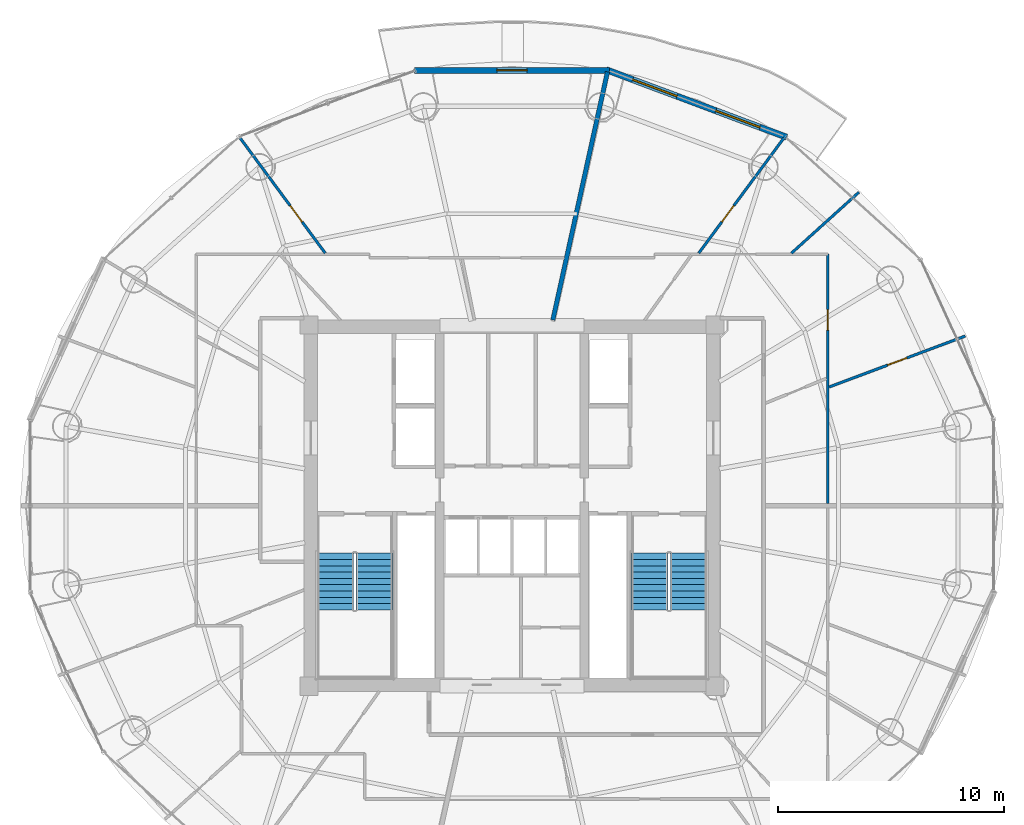
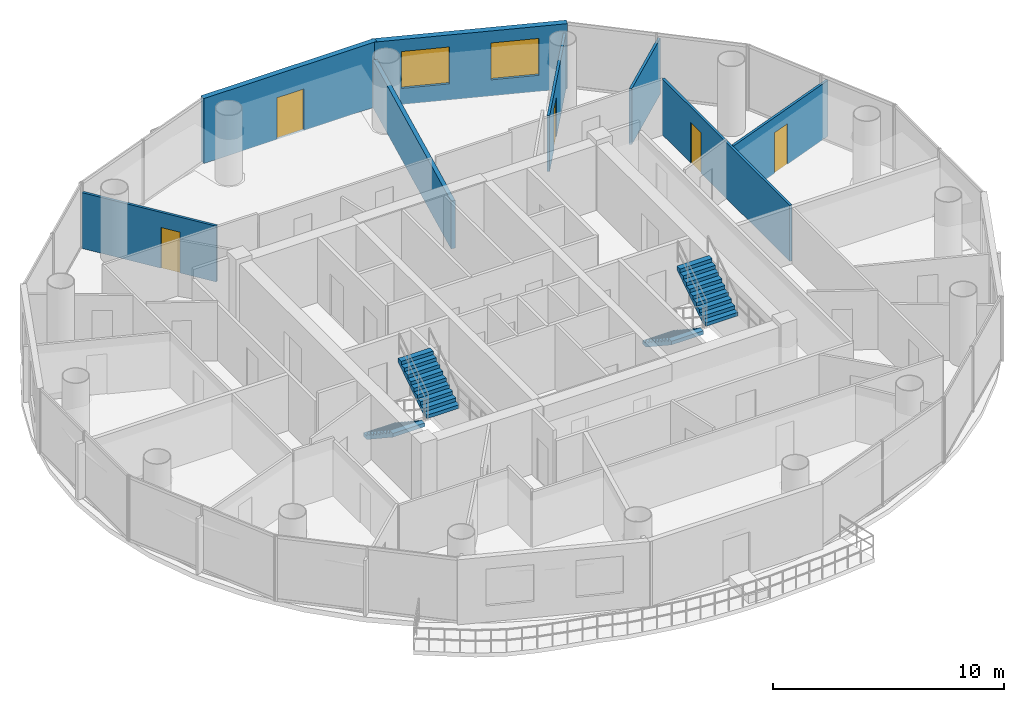
# One storey, part 23 of 26: 8 walls, 5 doors, 4 stair flights, 2 windows, 7 openings, 2 elements without a shape of their own.
"""IFC4 building model written with IfcOpenShell, lengths in metres."""

import ifcopenshell
import ifcopenshell.guid

model = None  # the IFC model being written
_history = None  # IfcOwnerHistory: only IFC2X3 demands one
_inside = {}  # id of a spatial element -> (the spatial element, [elements in it])
_under = {}  # id of a project, library or spatial element -> (it, [spatial elements below it])
_declared = {}  # id of a project -> (the project, [libraries it declares])
_typed = {}  # id of a type object -> (the type object, [elements of that type])
_made_of = {}  # id of a material, layer set ... -> (it, [elements and type objects made of it])


def new_model(schema):
    """Start an empty IFC model of exactly this schema.

    Asked for "IFC4X3", IfcOpenShell would pick the latest addendum, in which some entities
    have other attributes; the version numbers below select the first issue.
    IFC2X3 requires an IfcOwnerHistory on every rooted entity: one is made here for all.
    """
    global model, _history
    if schema == "IFC4X3":
        model = ifcopenshell.file(schema_version=(4, 3, 0, 0))
    else:
        model = ifcopenshell.file(schema=schema)
    _inside.clear()
    _under.clear()
    _declared.clear()
    _typed.clear()
    _made_of.clear()
    _history = None
    if model.schema == "IFC2X3":
        org = make("IfcOrganization", Name="unknown")
        user = make(
            "IfcPersonAndOrganization",
            ThePerson=make("IfcPerson", FamilyName="unknown"),
            TheOrganization=org,
        )
        app = make(
            "IfcApplication",
            ApplicationDeveloper=org,
            Version="unknown",
            ApplicationFullName="unknown",
            ApplicationIdentifier="unknown",
        )
        _history = make(
            "IfcOwnerHistory",
            OwningUser=user,
            OwningApplication=app,
            ChangeAction="ADDED",
            CreationDate=0,
        )
    return model


def make(cls, **values):
    """One entity of the class cls with the attributes given. An attribute that is None is left unset."""
    return model.create_entity(
        cls, **{name: value for name, value in values.items() if value is not None}
    )


def rooted(cls, **values):
    """An entity with a GlobalId (a new one), such as an element, a storey or a relation."""
    return make(cls, GlobalId=ifcopenshell.guid.new(), OwnerHistory=_history, **values)


def si_unit(unit_type, name, prefix=None):
    """IfcSIUnit, for example si_unit("LENGTHUNIT", "METRE", prefix="MILLI")."""
    return make("IfcSIUnit", UnitType=unit_type, Prefix=prefix, Name=name)


def assignment(units):
    """IfcUnitAssignment: the units of a project."""
    return None if units is None else make("IfcUnitAssignment", Units=units)


def point(xyz):
    """IfcCartesianPoint."""
    return None if xyz is None else make("IfcCartesianPoint", Coordinates=xyz)


def direction(xyz):
    """IfcDirection."""
    return None if xyz is None else make("IfcDirection", DirectionRatios=xyz)


def frame(location, z_axis=None, x_axis=None):
    """IfcAxis2Placement3D, a coordinate frame: its origin and axes. An axis left out is left unset."""
    return make(
        "IfcAxis2Placement3D",
        Location=point(location),
        Axis=direction(z_axis),
        RefDirection=direction(x_axis),
    )


def frame_2d(location, x_axis=None):
    """IfcAxis2Placement2D, a coordinate frame in the plane: its origin and x axis."""
    return make(
        "IfcAxis2Placement2D", Location=point(location), RefDirection=direction(x_axis)
    )


def origin():
    """The frame at (0, 0, 0) with its axes left unset."""
    return frame((0.0, 0.0, 0.0))


def place(relative_to, where):
    """IfcLocalPlacement: puts the frame where relative to a parent placement (None: the world)."""
    return make(
        "IfcLocalPlacement", PlacementRelTo=relative_to, RelativePlacement=where
    )


def context(
    kind, dimensions, precision=None, world=None, true_north=None, identifier=None
):
    """IfcGeometricRepresentationContext, for example the 3D "Model" context."""
    return make(
        "IfcGeometricRepresentationContext",
        ContextIdentifier=identifier,
        ContextType=kind,
        CoordinateSpaceDimension=dimensions,
        Precision=precision,
        WorldCoordinateSystem=world,
        TrueNorth=true_north,
    )


def subcontext(parent, identifier, kind, view, scale=None):
    """IfcGeometricRepresentationSubContext, for example "Body" below "Model"."""
    return make(
        "IfcGeometricRepresentationSubContext",
        ContextIdentifier=identifier,
        ContextType=kind,
        ParentContext=parent,
        TargetScale=scale,
        TargetView=view,
    )


def project(units=None, contexts=None):
    """IfcProject with its units and contexts."""
    return rooted(
        "IfcProject",
        Name="project",
        RepresentationContexts=contexts,
        UnitsInContext=assignment(units),
    )


def spatial(cls, under=None, at=None, **own):
    """A site, building, storey or space (cls), placed at a placement, below another one or the project."""
    s = rooted(cls, ObjectPlacement=at, **own)
    if under is not None:
        _under.setdefault(under.id(), (under, []))[1].append(s)
    return s


def polyline(points):
    """IfcPolyline through the points."""
    return make("IfcPolyline", Points=[point(p) for p in points])


def profile(cls, at=None, kind="AREA", **sizes):
    """A parametric profile (cls). Its sizes go by their IFC names, for example OverallWidth=200.0."""
    return make(cls, ProfileType=kind, Position=at, **sizes)


def rectangle(**sizes):
    """IfcRectangleProfileDef."""
    return profile("IfcRectangleProfileDef", **sizes)


def outline(outer, holes=None, kind="AREA"):
    """IfcArbitraryClosedProfileDef: a profile drawn as a closed curve; with holes, ...WithVoids."""
    if holes is None:
        return make("IfcArbitraryClosedProfileDef", ProfileType=kind, OuterCurve=outer)
    return make(
        "IfcArbitraryProfileDefWithVoids",
        ProfileType=kind,
        OuterCurve=outer,
        InnerCurves=holes,
    )


def extrude(swept, where, along, depth):
    """IfcExtrudedAreaSolid: the profile swept, set in the frame where, extruded along a direction by depth."""
    return make(
        "IfcExtrudedAreaSolid",
        SweptArea=swept,
        Position=where,
        ExtrudedDirection=direction(along),
        Depth=depth,
    )


def shape(context_of_items, identifier, shape_type, items):
    """IfcShapeRepresentation: the items that make up one representation, for example the "Body"."""
    return make(
        "IfcShapeRepresentation",
        ContextOfItems=context_of_items,
        RepresentationIdentifier=identifier,
        RepresentationType=shape_type,
        Items=items,
    )


def source(mapping_origin, context_of_items, identifier, shape_type, items):
    """IfcRepresentationMap: a shape defined once, which mapped items show again and again."""
    return make(
        "IfcRepresentationMap",
        MappingOrigin=mapping_origin,
        MappedRepresentation=shape(context_of_items, identifier, shape_type, items),
    )


def transform(
    local_origin,
    x_axis=None,
    y_axis=None,
    z_axis=None,
    scale=None,
    scale2=None,
    scale3=None,
    uniform=True,
):
    """IfcCartesianTransformationOperator3D, or its non-uniform kind. x_axis, y_axis, z_axis: its Axis1, 2, 3."""
    if uniform:
        return make(
            "IfcCartesianTransformationOperator3D",
            Axis1=direction(x_axis),
            Axis2=direction(y_axis),
            LocalOrigin=point(local_origin),
            Scale=scale,
            Axis3=direction(z_axis),
        )
    return make(
        "IfcCartesianTransformationOperator3DnonUniform",
        Axis1=direction(x_axis),
        Axis2=direction(y_axis),
        LocalOrigin=point(local_origin),
        Scale=scale,
        Axis3=direction(z_axis),
        Scale2=scale2,
        Scale3=scale3,
    )


def mapped(mapping_source, mapping_target):
    """IfcMappedItem: shows the shape of a source again, moved by a transform."""
    return make(
        "IfcMappedItem", MappingSource=mapping_source, MappingTarget=mapping_target
    )


def material(Name=None, Category=None):
    """IfcMaterial."""
    return make("IfcMaterial", Name=Name, Category=Category)


def layer(
    of_material, thickness, ventilated=None, Name=None, Category=None, Priority=None
):
    """IfcMaterialLayer: one layer of a wall or slab, of a material (None: an air gap)."""
    return make(
        "IfcMaterialLayer",
        Material=of_material,
        LayerThickness=thickness,
        IsVentilated=ventilated,
        Name=Name,
        Category=Category,
        Priority=Priority,
    )


def layer_set(layers, Name=None):
    """IfcMaterialLayerSet."""
    return make("IfcMaterialLayerSet", MaterialLayers=layers, LayerSetName=Name)


def made_of(thing, what):
    """Note that an element or type object is made of a material, layer set ...; save() writes the relation."""
    if what is not None:
        _made_of.setdefault(what.id(), (what, []))[1].append(thing)
    return thing


def type_object(cls, material=None, **own):
    """A type object (cls), such as IfcWallType, which elements share."""
    return made_of(rooted(cls, **own), material)


def element(
    cls,
    number,
    at=None,
    inside=None,
    cuts=None,
    type_object=None,
    material=None,
    context=None,
    identifier="Body",
    shape_type=None,
    held_by="IfcProductDefinitionShape",
    body=None,
    shapes=None,
    **own,
):
    """One element of the class cls, such as IfcWall. Its Tag is "e" and its number.

    at: its placement. inside: the storey or other place that contains it. cuts: it is an
    opening in that element (IfcRelVoidsElement). A single representation is given by context,
    identifier, shape_type and body (its items); several are given by shapes. held_by: the class
    of the entity that holds the representations. save() writes the other relations.
    """
    e = rooted(cls, Tag="e%d" % number, ObjectPlacement=at, **own)
    if body is not None:
        shapes = [shape(context, identifier, shape_type, body)]
    if shapes is not None:
        e.Representation = make(held_by, Representations=shapes)
    if inside is not None:
        _inside.setdefault(inside.id(), (inside, []))[1].append(e)
    if cuts is not None:
        rooted(
            "IfcRelVoidsElement", RelatingBuildingElement=cuts, RelatedOpeningElement=e
        )
    if type_object is not None:
        _typed.setdefault(type_object.id(), (type_object, []))[1].append(e)
    return made_of(e, material)


def fill(opening, filler):
    """IfcRelFillsElement: the door or window that sits in an opening."""
    return rooted(
        "IfcRelFillsElement",
        RelatingOpeningElement=opening,
        RelatedBuildingElement=filler,
    )


def aggregate(whole, parts):
    """IfcRelAggregates: a whole, such as a stair, and the parts it consists of."""
    return rooted("IfcRelAggregates", RelatingObject=whole, RelatedObjects=parts)


def save(model, path):
    """Write the relations noted so far, then the file.

    IfcRelAggregates (storeys below a building ...), IfcRelContainedInSpatialStructure (elements
    in a storey), IfcRelDefinesByType, IfcRelAssociatesMaterial and IfcRelDeclares: one each for
    every whole, place, type object, material and project.
    """
    for whole, parts in _under.values():
        aggregate(whole, parts)
    for where, things in _inside.values():
        rooted(
            "IfcRelContainedInSpatialStructure",
            RelatedElements=things,
            RelatingStructure=where,
        )
    for kind, things in _typed.values():
        rooted("IfcRelDefinesByType", RelatedObjects=things, RelatingType=kind)
    for what, things in _made_of.values():
        rooted("IfcRelAssociatesMaterial", RelatedObjects=things, RelatingMaterial=what)
    for by, libraries in _declared.values():
        rooted("IfcRelDeclares", RelatingContext=by, RelatedDefinitions=libraries)
    model.write(path)


model = new_model("IFC4")

# Units and contexts
model_context = context("Model", 3, precision=1e-05, world=origin(), true_north=direction((-0.2419218956, 0.970295726276)))
body_context = subcontext(model_context, "Body", "Model", "MODEL_VIEW")
ifc_project = project(units=[si_unit("LENGTHUNIT", "METRE"), si_unit("AREAUNIT", "SQUARE_METRE"), si_unit("VOLUMEUNIT", "CUBIC_METRE"), si_unit("PLANEANGLEUNIT", "RADIAN"), si_unit("MASSUNIT", "GRAM", prefix="KILO")], contexts=[model_context])

# Site, building, storey
site_placement = place(None, origin())
site = spatial("IfcSite", under=ifc_project, at=site_placement, CompositionType="ELEMENT")
building_placement = place(site_placement, origin())
building = spatial("IfcBuilding", under=site, at=building_placement, Name="Cobrevalo Terracotta Tower", CompositionType="ELEMENT")
storey_placement = place(building_placement, frame((0.0, 0.0, 213.39990234375)))
storey = spatial("IfcBuildingStorey", under=building, at=storey_placement, Name="L56", CompositionType="ELEMENT", Elevation=213.39990234375)

# Wall
ifc_material_1 = material(Name="Autoclaved aerated concrete block", Category="concrete")
ifc_layer_1 = layer(ifc_material_1, 0.199951171875)
ifc_layer_set_1 = layer_set([ifc_layer_1], Name="Autoclaved aerated concrete block")
wall_type_1 = type_object("IfcWallType", Name="Fire-rated stair, shaft & demising masonry wall 200 mm", PredefinedType="PARTITIONING", material=ifc_layer_set_1)
wall_1_placement = place(storey_placement, frame((39.810791015625, 35.02685546875, 0.0), z_axis=(0.0, 0.0, 1.0), x_axis=(0.214966857327, 0.976621344356, 0.0)))
element("IfcWall", 1, at=wall_1_placement, inside=storey, type_object=wall_type_1, Name="L56 interior partition IW-L56-DEM-2", PredefinedType="PARTITIONING", context=body_context, shape_type="SweptSolid", body=[
    extrude(rectangle(XDim=11.25830078125, YDim=0.199951171875, at=frame_2d((5.629150390625, 0.0))), origin(), (0.0, 0.0, 1.0), 2.52001953125),
])

# Wall, openings, windows
ifc_layer_2 = layer(ifc_material_1, 0.280029296875)
ifc_layer_set_2 = layer_set([ifc_layer_2], Name="Autoclaved aerated concrete block")
wall_type_2 = type_object("IfcWallType", Name="Insulated tower spandrel & pier wall 280 mm with terracotta rainscreen", PredefinedType="SOLIDWALL", material=ifc_layer_set_2)
wall_2_placement = place(storey_placement, frame((50.169677734375, 43.126953125, 0.0), z_axis=(0.0, 0.0, 1.0), x_axis=(-0.936556918375, 0.350515532672, 0.0)))
wall_2 = element("IfcWall", 2, at=wall_2_placement, inside=storey, type_object=wall_type_2, Name="L56 terracotta rainscreen pier wall S03", PredefinedType="SOLIDWALL", context=body_context, shape_type="SweptSolid", body=[
    extrude(rectangle(XDim=8.539306640625, YDim=0.280029296875, at=frame_2d((4.26953125, 0.0))), origin(), (0.0, 0.0, 1.0), 3.43505859375),
])
opening_1_placement = place(wall_2_placement, frame((1.255615234375, 0.0, 0.85009765625)))
opening_1 = element("IfcOpeningElement", 3, at=opening_1_placement, cuts=wall_2, Name="Opening WN-10", PredefinedType="OPENING", context=body_context, shape_type="SweptSolid", body=[
    extrude(rectangle(XDim=2.10009765625, YDim=1.949951171875, at=frame_2d((1.050048828125, 0.97509765625))), frame((0.0, 0.14990234375, 0.0), z_axis=(0.0, -1.0, 0.0), x_axis=(1.0, 0.0, 0.0)), (0.0, 0.0, 1.0), 0.300048828125),
])
opening_2_placement = place(wall_2_placement, frame((5.18359375, 0.0, 0.85009765625)))
opening_2 = element("IfcOpeningElement", 4, at=opening_2_placement, cuts=wall_2, Name="Opening WN-10", PredefinedType="OPENING", context=body_context, shape_type="SweptSolid", body=[
    extrude(rectangle(XDim=2.10009765625, YDim=1.949951171875, at=frame_2d((1.050048828125, 0.97509765625))), frame((0.0, 0.14990234375, 0.0), z_axis=(0.0, -1.0, 0.0), x_axis=(1.0, 0.0, 0.0)), (0.0, 0.0, 1.0), 0.300048828125),
])
ifc_material_2 = material(Name="Solar-control low-E double glazing", Category="glass")
window_type = type_object("IfcWindowType", Name="Wide panoramic low-E aluminium window 2100x1950", PartitioningType="SINGLE_PANEL", PredefinedType="WINDOW", material=ifc_material_2)
shared_shape_1 = source(origin(), body_context, "Body", "SweptSolid", [
    extrude(rectangle(XDim=2.10009765625, YDim=1.949951171875, at=frame_2d((1.050048828125, 0.97509765625))), frame((0.0, 0.030029296875, 0.0), z_axis=(0.0, -1.0, 0.0), x_axis=(1.0, 0.0, 0.0)), (0.0, 0.0, 1.0), 0.06005859375),
])
window_1_placement = place(opening_1_placement, origin())
window_1 = element("IfcWindow", 5, at=window_1_placement, inside=storey, type_object=window_type, Name="L56 suite window S03A", OverallHeight=1.949951171875, OverallWidth=2.10009765625, PartitioningType="SINGLE_PANEL", PredefinedType="WINDOW", context=body_context, shape_type="MappedRepresentation", body=[
    mapped(shared_shape_1, transform((0.0, 0.0, 0.0), scale=1.0)),
])
fill(opening_1, window_1)
window_2_placement = place(opening_2_placement, origin())
window_2 = element("IfcWindow", 6, at=window_2_placement, inside=storey, type_object=window_type, Name="L56 suite window S03B", OverallHeight=1.949951171875, OverallWidth=2.10009765625, PartitioningType="SINGLE_PANEL", PredefinedType="WINDOW", context=body_context, shape_type="MappedRepresentation", body=[
    mapped(shared_shape_1, transform((0.0, 0.0, 0.0), scale=1.0)),
])
fill(opening_2, window_2)

# Wall, opening, door
ifc_layer_3 = layer(ifc_material_1, 0.260009765625)
ifc_layer_set_3 = layer_set([ifc_layer_3], Name="Autoclaved aerated concrete block")
wall_type_3 = type_object("IfcWallType", Name="Recessed balcony loggia insulated exterior wall 260 mm", PredefinedType="SOLIDWALL", material=ifc_layer_set_3)
wall_3_placement = place(storey_placement, frame((42.3271484375, 46.092041015625, 0.0), z_axis=(0.0, 0.0, 1.0), x_axis=(-1.0, 0.0, 0.0)))
wall_3 = element("IfcWall", 7, at=wall_3_placement, inside=storey, type_object=wall_type_3, Name="L56 balcony loggia wall S04", PredefinedType="SOLIDWALL", context=body_context, shape_type="SweptSolid", body=[
    extrude(rectangle(XDim=8.654296875, YDim=0.260009765625, at=frame_2d((4.3271484375, 0.0))), origin(), (0.0, 0.0, 1.0), 3.43505859375),
])
opening_3_placement = place(wall_3_placement, frame((3.652099609375, 0.0, 0.0)))
opening_3 = element("IfcOpeningElement", 8, at=opening_3_placement, cuts=wall_3, Name="Opening ED-05", PredefinedType="OPENING", context=body_context, shape_type="SweptSolid", body=[
    extrude(rectangle(XDim=1.35009765625, YDim=2.199951171875, at=frame_2d((0.675048828125, 1.10009765625))), frame((0.0, 0.14013671875, 0.0), z_axis=(0.0, -1.0, 0.0), x_axis=(1.0, 0.0, 0.0)), (0.0, 0.0, 1.0), 0.280029296875),
])
ifc_material_3 = material(Name="Anodized aluminium and laminated glass", Category="aluminium")
door_type_1 = type_object("IfcDoorType", Name="Suite balcony acoustic glazed terrace door 1350x2200", OperationType="NOTDEFINED", PredefinedType="DOOR", material=ifc_material_3)
shared_shape_2 = source(origin(), body_context, "Body", "SweptSolid", [
    extrude(rectangle(XDim=1.35009765625, YDim=2.199951171875, at=frame_2d((0.675048828125, 1.10009765625))), frame((0.0, 0.02490234375, 0.0), z_axis=(0.0, -1.0, 0.0), x_axis=(1.0, 0.0, 0.0)), (0.0, 0.0, 1.0), 0.050048828125),
])
door_1_placement = place(opening_3_placement, frame((1.35009765625, 0.0, 0.0), z_axis=(0.0, 0.0, 1.0), x_axis=(-1.0, 0.0, 0.0)))
door_1 = element("IfcDoor", 9, at=door_1_placement, inside=storey, type_object=door_type_1, Name="L56 glazed balcony terrace door 1", OperationType="SINGLE_SWING_LEFT", OverallHeight=2.199951171875, OverallWidth=1.35009765625, PredefinedType="DOOR", context=body_context, shape_type="MappedRepresentation", body=[
    mapped(shared_shape_2, transform((0.0, 0.0, 0.0), scale=1.0)),
])
fill(opening_3, door_1)

ifc_material_4 = material(Name="Gypsum board on steel stud", Category="steel")
ifc_layer_4 = layer(ifc_material_4, 0.1201171875)
ifc_layer_set_4 = layer_set([ifc_layer_4], Name="Gypsum board on steel stud")
wall_type_4 = type_object("IfcWallType", Name="Residential internal acoustic stud partition 120 mm", PredefinedType="PARTITIONING", material=ifc_layer_set_4)
wall_4_placement = place(storey_placement, frame((51.9951171875, 37.945068359375, 0.0), z_axis=(0.0, 0.0, 1.0), x_axis=(0.0, -1.0, 0.0)))
wall_4 = element("IfcWall", 10, at=wall_4_placement, inside=storey, type_object=wall_type_4, Name="L56 interior partition IW-L56-U1-RING3_0", PredefinedType="PARTITIONING", context=body_context, shape_type="SweptSolid", body=[
    extrude(rectangle(XDim=11.04296875, YDim=0.1201171875, at=frame_2d((5.521484375, 0.0))), origin(), (0.0, 0.0, 1.0), 2.951171875),
])
opening_4_placement = place(wall_4_placement, frame((2.460205078125, 0.0, 0.0)))
opening_4 = element("IfcOpeningElement", 11, at=opening_4_placement, cuts=wall_4, Name="Opening ID-12", PredefinedType="OPENING", context=body_context, shape_type="SweptSolid", body=[
    extrude(rectangle(XDim=0.89990234375, YDim=2.14990234375, at=frame_2d((0.449951171875, 1.074951171875))), frame((0.0, 0.070068359375, 0.0), z_axis=(0.0, -1.0, 0.0), x_axis=(1.0, 0.0, 0.0)), (0.0, 0.0, 1.0), 0.14013671875),
])
ifc_material_5 = material(Name="Engineered timber", Category="wood")
door_type_2 = type_object("IfcDoorType", Name="Internal residence & suite timber door 900x2150", OperationType="NOTDEFINED", PredefinedType="DOOR", material=ifc_material_5)
shared_shape_3 = source(origin(), body_context, "Body", "SweptSolid", [
    extrude(rectangle(XDim=0.89990234375, YDim=2.14990234375, at=frame_2d((0.449951171875, 1.074951171875))), frame((0.0, 0.02490234375, 0.0), z_axis=(0.0, -1.0, 0.0), x_axis=(1.0, 0.0, 0.0)), (0.0, 0.0, 1.0), 0.050048828125),
])
door_2_placement = place(opening_4_placement, origin())
door_2 = element("IfcDoor", 12, at=door_2_placement, inside=storey, type_object=door_type_2, Name="Flat L56A Master Bedroom internal door", OperationType="SINGLE_SWING_LEFT", OverallHeight=2.14990234375, OverallWidth=0.89990234375, PredefinedType="DOOR", context=body_context, shape_type="MappedRepresentation", body=[
    mapped(shared_shape_3, transform((0.0, 0.0, 0.0), scale=1.0)),
])
fill(opening_4, door_2)

wall_5_placement = place(storey_placement, frame((52.052978515625, 32.060302734375, 0.0), z_axis=(0.0, 0.0, 1.0), x_axis=(0.936547148815, 0.350541635255, 0.0)))
wall_5 = element("IfcWall", 13, at=wall_5_placement, inside=storey, type_object=wall_type_4, Name="L56 interior partition IW-L56-U1-ORAD1", PredefinedType="PARTITIONING", context=body_context, shape_type="SweptSolid", body=[
    extrude(rectangle(XDim=6.438720703125, YDim=0.1201171875, at=frame_2d((3.21923828125, 0.0))), origin(), (0.0, 0.0, 1.0), 2.951171875),
])
opening_5_placement = place(wall_5_placement, frame((2.769287109375, 0.0, 0.0)))
opening_5 = element("IfcOpeningElement", 14, at=opening_5_placement, cuts=wall_5, Name="Opening ID-12", PredefinedType="OPENING", context=body_context, shape_type="SweptSolid", body=[
    extrude(rectangle(XDim=0.89990234375, YDim=2.14990234375, at=frame_2d((0.449951171875, 1.074951171875))), frame((0.0, 0.070068359375, 0.0), z_axis=(0.0, -1.0, 0.0), x_axis=(1.0, 0.0, 0.0)), (0.0, 0.0, 1.0), 0.14013671875),
])
door_3_placement = place(opening_5_placement, frame((0.89990234375, 0.0, 0.0), z_axis=(0.0, 0.0, 1.0), x_axis=(-1.0, 0.0, 0.0)))
door_3 = element("IfcDoor", 15, at=door_3_placement, inside=storey, type_object=door_type_2, Name="Flat L56A Living and Dining Room internal door", OperationType="SINGLE_SWING_RIGHT", OverallHeight=2.14990234375, OverallWidth=0.89990234375, PredefinedType="DOOR", context=body_context, shape_type="MappedRepresentation", body=[
    mapped(shared_shape_3, transform((0.0, 0.0, 0.0), scale=1.0)),
])
fill(opening_5, door_3)

# Wall
wall_6_placement = place(storey_placement, frame((50.379150390625, 37.986572265625, 0.0), z_axis=(0.0, 0.0, 1.0), x_axis=(0.741946116474, 0.67045951425, 0.0)))
element("IfcWall", 16, at=wall_6_placement, inside=storey, type_object=wall_type_4, Name="L56 interior partition IW-L56-U1-ORAD2", PredefinedType="PARTITIONING", context=body_context, shape_type="SweptSolid", body=[
    extrude(rectangle(XDim=4.030029296875, YDim=0.1201171875, at=frame_2d((2.01513671875, 0.0))), origin(), (0.0, 0.0, 1.0), 2.951171875),
])

# Wall, opening, door
wall_7_placement = place(storey_placement, frame((46.277587890625, 37.994873046875, 0.0), z_axis=(0.0, 0.0, 1.0), x_axis=(0.594518724985, 0.80408176552, 0.0)))
wall_7 = element("IfcWall", 17, at=wall_7_placement, inside=storey, type_object=wall_type_4, Name="L56 interior partition IW-L56-U1-ORAD3", PredefinedType="PARTITIONING", context=body_context, shape_type="SweptSolid", body=[
    extrude(rectangle(XDim=6.344482421875, YDim=0.1201171875, at=frame_2d((3.17236328125, 0.0))), origin(), (0.0, 0.0, 1.0), 2.951171875),
])
opening_6_placement = place(wall_7_placement, frame((1.714599609375, 0.0, 0.0)))
opening_6 = element("IfcOpeningElement", 18, at=opening_6_placement, cuts=wall_7, Name="Opening ID-12", PredefinedType="OPENING", context=body_context, shape_type="SweptSolid", body=[
    extrude(rectangle(XDim=0.89990234375, YDim=2.14990234375, at=frame_2d((0.449951171875, 1.074951171875))), frame((0.0, 0.070068359375, 0.0), z_axis=(0.0, -1.0, 0.0), x_axis=(1.0, 0.0, 0.0)), (0.0, 0.0, 1.0), 0.14013671875),
])
door_4_placement = place(opening_6_placement, origin())
door_4 = element("IfcDoor", 19, at=door_4_placement, inside=storey, type_object=door_type_2, Name="Flat L56A Principal Guest Bedroom internal door", OperationType="SINGLE_SWING_LEFT", OverallHeight=2.14990234375, OverallWidth=0.89990234375, PredefinedType="DOOR", context=body_context, shape_type="MappedRepresentation", body=[
    mapped(shared_shape_3, transform((0.0, 0.0, 0.0), scale=1.0)),
])
fill(opening_6, door_4)

wall_8_placement = place(storey_placement, frame((29.722412109375, 37.994873046875, 0.0), z_axis=(0.0, 0.0, 1.0), x_axis=(-0.594518724985, 0.80408176552, 0.0)))
wall_8 = element("IfcWall", 20, at=wall_8_placement, inside=storey, type_object=wall_type_4, Name="L56 interior partition IW-L56-U2-ORAD1", PredefinedType="PARTITIONING", context=body_context, shape_type="SweptSolid", body=[
    extrude(rectangle(XDim=6.344482421875, YDim=0.1201171875, at=frame_2d((3.17236328125, 0.0))), origin(), (0.0, 0.0, 1.0), 2.951171875),
])
opening_7_placement = place(wall_8_placement, frame((1.714599609375, 0.0, 0.0)))
opening_7 = element("IfcOpeningElement", 21, at=opening_7_placement, cuts=wall_8, Name="Opening ID-12", PredefinedType="OPENING", context=body_context, shape_type="SweptSolid", body=[
    extrude(rectangle(XDim=0.89990234375, YDim=2.14990234375, at=frame_2d((0.449951171875, 1.074951171875))), frame((0.0, 0.070068359375, 0.0), z_axis=(0.0, -1.0, 0.0), x_axis=(1.0, 0.0, 0.0)), (0.0, 0.0, 1.0), 0.14013671875),
])
door_5_placement = place(opening_7_placement, frame((0.89990234375, 0.0, 0.0), z_axis=(0.0, 0.0, 1.0), x_axis=(-1.0, 0.0, 0.0)))
door_5 = element("IfcDoor", 22, at=door_5_placement, inside=storey, type_object=door_type_2, Name="Flat L56B Penthouse Living and Dining Room internal door", OperationType="SINGLE_SWING_RIGHT", OverallHeight=2.14990234375, OverallWidth=0.89990234375, PredefinedType="DOOR", context=body_context, shape_type="MappedRepresentation", body=[
    mapped(shared_shape_3, transform((0.0, 0.0, 0.0), scale=1.0)),
])
fill(opening_7, door_5)

# Stair, stair flights
ifc_material_6 = material(Name="Concrete C50", Category="concrete")
stair_type = type_object("IfcStairType", Name="Core protected escape dogleg stair 1600", PredefinedType="HALF_TURN_STAIR", material=ifc_material_6)
stair_1_placement = place(storey_placement, origin())
stair_1 = element("IfcStair", 23, at=stair_1_placement, inside=storey, type_object=stair_type, Name="L56 Protected exit stair ST-1", PredefinedType="HALF_TURN_STAIR")
stair_flight_type = type_object("IfcStairFlightType", Name="Core protected escape dogleg stair 1600 flight", PredefinedType="STRAIGHT", material=ifc_material_6)
stair_flight_1_placement = place(storey_placement, frame((30.175048828125, 24.699951171875, 0.0), z_axis=(0.0, 0.0, 1.0), x_axis=(0.0, -1.0, 0.0)))
stair_flight_1 = element("IfcStairFlight", 24, at=stair_flight_1_placement, type_object=stair_flight_type, Name="ST-1 flight 1", NumberOfRisers=10, NumberOfTreads=9, PredefinedType="STRAIGHT", RiserHeight=0.185, TreadLength=0.28, context=body_context, shape_type="SweptSolid", body=[
    extrude(outline(polyline([(0.0, 0.0), (0.0, 0.18505859375), (0.280029296875, 0.18505859375), (0.280029296875, 0.3701171875), (0.56005859375, 0.3701171875), (0.56005859375, 0.554931640625), (0.840087890625, 0.554931640625), (0.840087890625, 0.739990234375), (1.1201171875, 0.739990234375), (1.1201171875, 0.925048828125), (1.39990234375, 0.925048828125), (1.39990234375, 1.110107421875), (1.679931640625, 1.110107421875), (1.679931640625, 1.294921875), (1.9599609375, 1.294921875), (1.9599609375, 1.47998046875), (2.239990234375, 1.47998046875), (2.239990234375, 1.6650390625), (2.52001953125, 1.6650390625), (2.52001953125, 1.85009765625), (2.52001953125, 1.473388671875), (0.2900390625, 0.0), (0.0, 0.0)])), frame((0.0, 0.800048828125, 0.0), z_axis=(0.0, -1.0, 0.0), x_axis=(1.0, 0.0, 0.0)), (0.0, 0.0, 1.0), 1.60009765625),
])
stair_flight_2_placement = place(storey_placement, frame((31.89501953125, 22.179931640625, 1.85009765625), z_axis=(0.0, 0.0, 1.0), x_axis=(0.0, 1.0, 0.0)))
stair_flight_2 = element("IfcStairFlight", 25, at=stair_flight_2_placement, type_object=stair_flight_type, Name="ST-1 flight 2", NumberOfRisers=10, NumberOfTreads=9, PredefinedType="STRAIGHT", RiserHeight=0.185, TreadLength=0.28, context=body_context, shape_type="SweptSolid", body=[
    extrude(outline(polyline([(0.0, 0.0), (0.0, 0.18505859375), (0.280029296875, 0.18505859375), (0.280029296875, 0.3701171875), (0.56005859375, 0.3701171875), (0.56005859375, 0.554931640625), (0.840087890625, 0.554931640625), (0.840087890625, 0.739990234375), (1.1201171875, 0.739990234375), (1.1201171875, 0.925048828125), (1.39990234375, 0.925048828125), (1.39990234375, 1.110107421875), (1.679931640625, 1.110107421875), (1.679931640625, 1.294921875), (1.9599609375, 1.294921875), (1.9599609375, 1.47998046875), (2.239990234375, 1.47998046875), (2.239990234375, 1.6650390625), (2.52001953125, 1.6650390625), (2.52001953125, 1.85009765625), (2.52001953125, 1.473388671875), (0.2900390625, 0.0), (0.0, 0.0)])), frame((0.0, 0.800048828125, 0.0), z_axis=(0.0, -1.0, 0.0), x_axis=(1.0, 0.0, 0.0)), (0.0, 0.0, 1.0), 1.60009765625),
])
aggregate(stair_1, [stair_flight_1, stair_flight_2])

stair_2_placement = place(storey_placement, origin())
stair_2 = element("IfcStair", 26, at=stair_2_placement, inside=storey, type_object=stair_type, Name="L56 Protected exit stair ST-2", PredefinedType="HALF_TURN_STAIR")
stair_flight_3_placement = place(storey_placement, frame((44.10498046875, 24.699951171875, 0.0), z_axis=(0.0, 0.0, 1.0), x_axis=(0.0, -1.0, 0.0)))
stair_flight_3 = element("IfcStairFlight", 27, at=stair_flight_3_placement, type_object=stair_flight_type, Name="ST-2 flight 1", NumberOfRisers=10, NumberOfTreads=9, PredefinedType="STRAIGHT", RiserHeight=0.185, TreadLength=0.28, context=body_context, shape_type="SweptSolid", body=[
    extrude(outline(polyline([(0.0, 0.0), (0.0, 0.18505859375), (0.280029296875, 0.18505859375), (0.280029296875, 0.3701171875), (0.56005859375, 0.3701171875), (0.56005859375, 0.554931640625), (0.840087890625, 0.554931640625), (0.840087890625, 0.739990234375), (1.1201171875, 0.739990234375), (1.1201171875, 0.925048828125), (1.39990234375, 0.925048828125), (1.39990234375, 1.110107421875), (1.679931640625, 1.110107421875), (1.679931640625, 1.294921875), (1.9599609375, 1.294921875), (1.9599609375, 1.47998046875), (2.239990234375, 1.47998046875), (2.239990234375, 1.6650390625), (2.52001953125, 1.6650390625), (2.52001953125, 1.85009765625), (2.52001953125, 1.473388671875), (0.2900390625, 0.0), (0.0, 0.0)])), frame((0.0, 0.800048828125, 0.0), z_axis=(0.0, -1.0, 0.0), x_axis=(1.0, 0.0, 0.0)), (0.0, 0.0, 1.0), 1.60009765625),
])
stair_flight_4_placement = place(storey_placement, frame((45.824951171875, 22.179931640625, 1.85009765625), z_axis=(0.0, 0.0, 1.0), x_axis=(0.0, 1.0, 0.0)))
stair_flight_4 = element("IfcStairFlight", 28, at=stair_flight_4_placement, type_object=stair_flight_type, Name="ST-2 flight 2", NumberOfRisers=10, NumberOfTreads=9, PredefinedType="STRAIGHT", RiserHeight=0.185, TreadLength=0.28, context=body_context, shape_type="SweptSolid", body=[
    extrude(outline(polyline([(0.0, 0.0), (0.0, 0.18505859375), (0.280029296875, 0.18505859375), (0.280029296875, 0.3701171875), (0.56005859375, 0.3701171875), (0.56005859375, 0.554931640625), (0.840087890625, 0.554931640625), (0.840087890625, 0.739990234375), (1.1201171875, 0.739990234375), (1.1201171875, 0.925048828125), (1.39990234375, 0.925048828125), (1.39990234375, 1.110107421875), (1.679931640625, 1.110107421875), (1.679931640625, 1.294921875), (1.9599609375, 1.294921875), (1.9599609375, 1.47998046875), (2.239990234375, 1.47998046875), (2.239990234375, 1.6650390625), (2.52001953125, 1.6650390625), (2.52001953125, 1.85009765625), (2.52001953125, 1.473388671875), (0.2900390625, 0.0), (0.0, 0.0)])), frame((0.0, 0.800048828125, 0.0), z_axis=(0.0, -1.0, 0.0), x_axis=(1.0, 0.0, 0.0)), (0.0, 0.0, 1.0), 1.60009765625),
])
aggregate(stair_2, [stair_flight_3, stair_flight_4])

save(model, "model.ifc")
